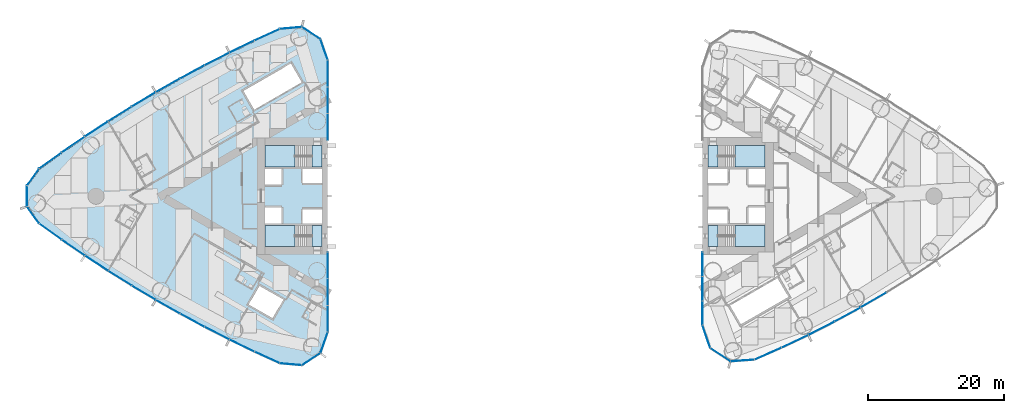
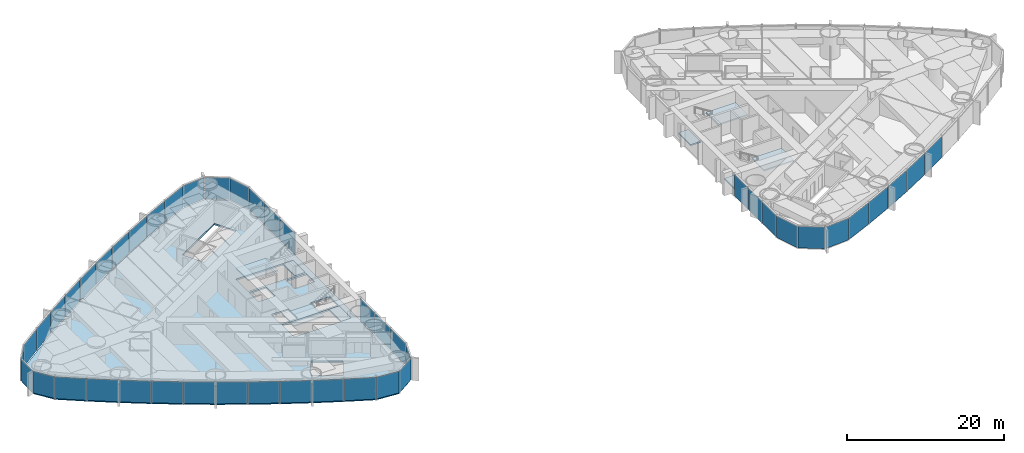
# One storey, part 9 of 18: 46 plates, 9 slabs, 6 elements without a shape of their own.
"""IFC4 building model written with IfcOpenShell, lengths in metres."""

from ifc_helpers import new_model, si_unit, direction, frame, origin, origin_2d, place, context, subcontext, project, spatial, polyline, rectangle, outline, extrude, material, layer, layer_set, type_object, element, aggregate, save


model = new_model("IFC4")

# Units and contexts
model_context = context("Model", 3, precision=1e-05, world=origin(), true_north=direction((0.0, 1.0)))
body_context = subcontext(model_context, "Body", "Model", "MODEL_VIEW")
ifc_project = project(units=[si_unit("LENGTHUNIT", "METRE"), si_unit("AREAUNIT", "SQUARE_METRE"), si_unit("VOLUMEUNIT", "CUBIC_METRE"), si_unit("PLANEANGLEUNIT", "RADIAN"), si_unit("MASSUNIT", "GRAM", prefix="KILO")], contexts=[model_context])

# Site, building, storey
site_placement = place(None, origin())
site = spatial("IfcSite", under=ifc_project, at=site_placement, CompositionType="ELEMENT")
building_placement = place(site_placement, origin())
building = spatial("IfcBuilding", under=site, at=building_placement, Name="Lancet Gate Hotel", CompositionType="ELEMENT")
storey_placement = place(building_placement, frame((0.0, 0.0, 136.10009765625)))
storey = spatial("IfcBuildingStorey", under=building, at=storey_placement, Name="L36", CompositionType="ELEMENT", Elevation=136.10009765625)

# Slab
ifc_material_1 = material(Name="Concrete C50/60", Category="concrete")
ifc_layer_1 = layer(ifc_material_1, 0.25)
ifc_layer_set_1 = layer_set([ifc_layer_1], Name="Floor slab 250")
slab_type_1 = type_object("IfcSlabType", Name="Floor slab 250", PredefinedType="FLOOR", material=ifc_layer_set_1)
slab_1_placement = place(storey_placement, frame((0.0, 0.0, -0.25)))
element("IfcSlab", 1, at=slab_1_placement, inside=storey, type_object=slab_type_1, Name="T1 L36 floor slab", PredefinedType="FLOOR", context=body_context, shape_type="SweptSolid", body=[
    extrude(outline(polyline([(-27.5, 8.60009765625), (-27.6201171875, 8.60009765625), (-27.6201171875, 19.950927734375), (-28.65966796875, 22.970947265625), (-31.320068359375, 24.69921875), (-34.5009765625, 24.421630859375), (-38.201416015625, 22.727783203125), (-41.8818359375, 20.946044921875), (-45.523193359375, 19.085693359375), (-49.12353515625, 17.147216796875), (-52.681396484375, 15.131591796875), (-56.195068359375, 13.0400390625), (-59.662841796875, 10.873291015625), (-63.0830078125, 8.63232421875), (-66.454345703125, 6.318115234375), (-69.76025390625, 3.94287109375), (-71.523193359375, 1.49755859375), (-71.523193359375, -1.49755859375), (-69.76025390625, -3.94287109375), (-66.454345703125, -6.318115234375), (-63.0830078125, -8.63232421875), (-59.662841796875, -10.873291015625), (-56.195068359375, -13.0400390625), (-52.681396484375, -15.131591796875), (-49.12353515625, -17.147216796875), (-45.523193359375, -19.085693359375), (-41.8818359375, -20.946044921875), (-38.201416015625, -22.727783203125), (-34.5009765625, -24.421630859375), (-31.320068359375, -24.69921875), (-28.65966796875, -22.970947265625), (-27.6201171875, -19.950927734375), (-27.6201171875, -8.60009765625), (-27.5, -8.60009765625), (-27.5, -8.199951171875), (-27.5, 8.199951171875), (-27.5, 8.60009765625)]), holes=[polyline([(-36.699951171875, 7.39990234375), (-36.699951171875, 4.300048828125), (-28.300048828125, 4.300048828125), (-28.300048828125, 7.39990234375), (-36.699951171875, 7.39990234375)]), polyline([(-28.300048828125, 4.0), (-31.199951171875, 4.0), (-31.199951171875, 1.89990234375), (-28.300048828125, 1.89990234375), (-28.300048828125, 4.0)]), polyline([(-34.25, 4.0), (-36.699951171875, 4.0), (-36.699951171875, 1.64990234375), (-34.25, 1.64990234375), (-34.25, 4.0)]), polyline([(-36.699951171875, -1.64990234375), (-36.699951171875, -4.0), (-34.25, -4.0), (-34.25, -1.64990234375), (-36.699951171875, -1.64990234375)]), polyline([(-28.300048828125, -1.89990234375), (-31.199951171875, -1.89990234375), (-31.199951171875, -4.0), (-28.300048828125, -4.0), (-28.300048828125, -1.89990234375)]), polyline([(-28.300048828125, -4.300048828125), (-36.699951171875, -4.300048828125), (-36.699951171875, -7.39990234375), (-28.300048828125, -7.39990234375), (-28.300048828125, -4.300048828125)]), polyline([(-31.2900390625, 16.73095703125), (-32.889892578125, 19.501953125), (-39.904052734375, 15.451904296875), (-38.303955078125, 12.680908203125), (-31.2900390625, 16.73095703125)]), polyline([(-33.97412109375, -15.180908203125), (-37.52490234375, -13.131103515625), (-39.125, -15.902099609375), (-35.573974609375, -17.951904296875), (-33.97412109375, -15.180908203125)])]), origin(), (0.0, 0.0, 1.0), 0.25),
])

# Stair, slabs
ifc_material_2 = material(Name="Exit stair 20 risers 1500")
stair_type = type_object("IfcStairType", Name="Exit stair 20 risers 1500", PredefinedType="HALF_TURN_STAIR", material=ifc_material_2)
stair_1_placement = place(storey_placement, origin())
stair_1 = element("IfcStair", 2, at=stair_1_placement, inside=storey, type_object=stair_type, Name="T1 stair 1 L36", PredefinedType="HALF_TURN_STAIR")
ifc_material_3 = material(Name="Concrete C40/50", Category="concrete")
ifc_layer_2 = layer(ifc_material_3, 0.199951171875)
ifc_layer_set_2 = layer_set([ifc_layer_2], Name="Stair landing 200")
slab_type_2 = type_object("IfcSlabType", Name="Stair landing 200", PredefinedType="LANDING", material=ifc_layer_set_2)
slab_2_placement = place(storey_placement, frame((0.0, 0.0, -0.2001953125)))
slab_2 = element("IfcSlab", 3, at=slab_2_placement, type_object=slab_type_2, Name="ST1 landing 1", PredefinedType="LANDING", context=body_context, shape_type="SweptSolid", body=[
    extrude(outline(polyline([(-28.300048828125, 7.39990234375), (-29.800048828125, 7.39990234375), (-29.800048828125, 4.300048828125), (-28.300048828125, 4.300048828125), (-28.300048828125, 7.39990234375)])), origin(), (0.0, 0.0, 1.0), 0.2001953125),
])
slab_3_placement = place(storey_placement, frame((0.0, 0.0, 1.5498046875)))
slab_3 = element("IfcSlab", 4, at=slab_3_placement, type_object=slab_type_2, Name="ST1 landing 2", PredefinedType="LANDING", context=body_context, shape_type="SweptSolid", body=[
    extrude(outline(polyline([(-32.320068359375, 7.39990234375), (-36.699951171875, 7.39990234375), (-36.699951171875, 4.300048828125), (-32.320068359375, 4.300048828125), (-32.320068359375, 7.39990234375)])), origin(), (0.0, 0.0, 1.0), 0.2001953125),
])
aggregate(stair_1, [slab_2, slab_3])

stair_2_placement = place(storey_placement, origin())
stair_2 = element("IfcStair", 5, at=stair_2_placement, inside=storey, type_object=stair_type, Name="T1 stair 2 L36", PredefinedType="HALF_TURN_STAIR")
slab_4_placement = place(storey_placement, frame((0.0, 0.0, -0.2001953125)))
slab_4 = element("IfcSlab", 6, at=slab_4_placement, type_object=slab_type_2, Name="ST2 landing 1", PredefinedType="LANDING", context=body_context, shape_type="SweptSolid", body=[
    extrude(outline(polyline([(-28.300048828125, -4.300048828125), (-29.800048828125, -4.300048828125), (-29.800048828125, -7.39990234375), (-28.300048828125, -7.39990234375), (-28.300048828125, -4.300048828125)])), origin(), (0.0, 0.0, 1.0), 0.2001953125),
])
slab_5_placement = place(storey_placement, frame((0.0, 0.0, 1.5498046875)))
slab_5 = element("IfcSlab", 7, at=slab_5_placement, type_object=slab_type_2, Name="ST2 landing 2", PredefinedType="LANDING", context=body_context, shape_type="SweptSolid", body=[
    extrude(outline(polyline([(-32.320068359375, -4.300048828125), (-36.699951171875, -4.300048828125), (-36.699951171875, -7.39990234375), (-32.320068359375, -7.39990234375), (-32.320068359375, -4.300048828125)])), origin(), (0.0, 0.0, 1.0), 0.2001953125),
])
aggregate(stair_2, [slab_4, slab_5])

stair_3_placement = place(storey_placement, origin())
stair_3 = element("IfcStair", 8, at=stair_3_placement, inside=storey, type_object=stair_type, Name="T2 stair 1 L36", PredefinedType="HALF_TURN_STAIR")
slab_6_placement = place(storey_placement, frame((0.0, 0.0, -0.2001953125)))
slab_6 = element("IfcSlab", 9, at=slab_6_placement, type_object=slab_type_2, Name="ST3 landing 1", PredefinedType="LANDING", context=body_context, shape_type="SweptSolid", body=[
    extrude(outline(polyline([(28.300048828125, -7.39990234375), (29.800048828125, -7.39990234375), (29.800048828125, -4.300048828125), (28.300048828125, -4.300048828125), (28.300048828125, -7.39990234375)])), origin(), (0.0, 0.0, 1.0), 0.2001953125),
])
slab_7_placement = place(storey_placement, frame((0.0, 0.0, 1.5498046875)))
slab_7 = element("IfcSlab", 10, at=slab_7_placement, type_object=slab_type_2, Name="ST3 landing 2", PredefinedType="LANDING", context=body_context, shape_type="SweptSolid", body=[
    extrude(outline(polyline([(32.320068359375, -7.39990234375), (36.699951171875, -7.39990234375), (36.699951171875, -4.300048828125), (32.320068359375, -4.300048828125), (32.320068359375, -7.39990234375)])), origin(), (0.0, 0.0, 1.0), 0.2001953125),
])
aggregate(stair_3, [slab_6, slab_7])

stair_4_placement = place(storey_placement, origin())
stair_4 = element("IfcStair", 11, at=stair_4_placement, inside=storey, type_object=stair_type, Name="T2 stair 2 L36", PredefinedType="HALF_TURN_STAIR")
slab_8_placement = place(storey_placement, frame((0.0, 0.0, -0.2001953125)))
slab_8 = element("IfcSlab", 12, at=slab_8_placement, type_object=slab_type_2, Name="ST4 landing 1", PredefinedType="LANDING", context=body_context, shape_type="SweptSolid", body=[
    extrude(outline(polyline([(28.300048828125, 4.300048828125), (29.800048828125, 4.300048828125), (29.800048828125, 7.39990234375), (28.300048828125, 7.39990234375), (28.300048828125, 4.300048828125)])), origin(), (0.0, 0.0, 1.0), 0.2001953125),
])
slab_9_placement = place(storey_placement, frame((0.0, 0.0, 1.5498046875)))
slab_9 = element("IfcSlab", 13, at=slab_9_placement, type_object=slab_type_2, Name="ST4 landing 2", PredefinedType="LANDING", context=body_context, shape_type="SweptSolid", body=[
    extrude(outline(polyline([(32.320068359375, 4.300048828125), (36.699951171875, 4.300048828125), (36.699951171875, 7.39990234375), (32.320068359375, 7.39990234375), (32.320068359375, 4.300048828125)])), origin(), (0.0, 0.0, 1.0), 0.2001953125),
])
aggregate(stair_4, [slab_8, slab_9])

# Curtain wall, plates
ifc_material_4 = material(Name="Aluminium curtain wall", Category="aluminium")
curtain_wall_type = type_object("IfcCurtainWallType", Name="Tower unitised curtain wall", PredefinedType="USERDEFINED", material=ifc_material_4)
curtain_wall_1_placement = place(storey_placement, origin())
curtain_wall_1 = element("IfcCurtainWall", 14, at=curtain_wall_1_placement, inside=storey, type_object=curtain_wall_type, Name="T1 L36 curtain wall 1", ObjectType="UNITISED CURTAIN WALL", PredefinedType="USERDEFINED")
ifc_material_5 = material(Name="Glass double glazed unit 8-16-6", Category="glass")
ifc_layer_3 = layer(ifc_material_5, 0.030029296875)
ifc_layer_set_3 = layer_set([ifc_layer_3], Name="Vision panel double glazed")
plate_type = type_object("IfcPlateType", Name="Vision panel double glazed", PredefinedType="CURTAIN_PANEL", material=ifc_layer_set_3)
plate_1_placement = place(storey_placement, frame((-27.5, 10.161865234375, -0.000244140625), z_axis=(0.0, 0.0, 1.0), x_axis=(0.0, 1.0, 0.0)))
plate_1 = element("IfcPlate", 15, at=plate_1_placement, type_object=plate_type, Name="T1 L36 curtain wall 1 panel 1", PredefinedType="CURTAIN_PANEL", context=body_context, shape_type="SweptSolid", body=[
    extrude(rectangle(XDim=3.858642578125, YDim=0.030029296875, at=origin_2d()), origin(), (0.0, 0.0, 1.0), 3.35009765625),
])
plate_2_placement = place(storey_placement, frame((-27.5, 14.08544921875, -0.000244140625), z_axis=(0.0, 0.0, 1.0), x_axis=(0.0, 1.0, 0.0)))
plate_2 = element("IfcPlate", 16, at=plate_2_placement, type_object=plate_type, Name="T1 L36 curtain wall 1 panel 2", PredefinedType="CURTAIN_PANEL", context=body_context, shape_type="SweptSolid", body=[
    extrude(rectangle(XDim=3.858642578125, YDim=0.030029296875, at=origin_2d()), origin(), (0.0, 0.0, 1.0), 3.35009765625),
])
plate_3_placement = place(storey_placement, frame((-27.5, 18.00927734375, -0.000244140625), z_axis=(0.0, 0.0, 1.0), x_axis=(0.0, 1.0, 0.0)))
plate_3 = element("IfcPlate", 17, at=plate_3_placement, type_object=plate_type, Name="T1 L36 curtain wall 1 panel 3", PredefinedType="CURTAIN_PANEL", context=body_context, shape_type="SweptSolid", body=[
    extrude(rectangle(XDim=3.858642578125, YDim=0.030029296875, at=origin_2d()), origin(), (0.0, 0.0, 1.0), 3.35009765625),
])
plate_4_placement = place(storey_placement, frame((-28.02978515625, 21.510009765625, -0.000244140625), z_axis=(0.0, 0.0, 1.0), x_axis=(-0.325515820766, 0.945536593914, 0.0)))
plate_4 = element("IfcPlate", 18, at=plate_4_placement, type_object=plate_type, Name="T1 L36 curtain wall 1 panel 4", PredefinedType="CURTAIN_PANEL", context=body_context, shape_type="SweptSolid", body=[
    extrude(rectangle(XDim=3.190185546875, YDim=0.030029296875, at=origin_2d()), origin(), (0.0, 0.0, 1.0), 3.35009765625),
])
plate_5_placement = place(storey_placement, frame((-29.924560546875, 23.935546875, -0.000244140625), z_axis=(0.0, 0.0, 1.0), x_axis=(-0.838580121261, 0.544778285385, 0.0)))
plate_5 = element("IfcPlate", 19, at=plate_5_placement, type_object=plate_type, Name="T1 L36 curtain wall 1 panel 5", PredefinedType="CURTAIN_PANEL", context=body_context, shape_type="SweptSolid", body=[
    extrude(rectangle(XDim=3.190185546875, YDim=0.030029296875, at=origin_2d()), origin(), (0.0, 0.0, 1.0), 3.35009765625),
])
plate_6_placement = place(storey_placement, frame((-32.91064453125, 24.680908203125, -0.000244140625), z_axis=(0.0, 0.0, 1.0), x_axis=(-0.996218779711, -0.086880049207, 0.0)))
plate_6 = element("IfcPlate", 20, at=plate_6_placement, type_object=plate_type, Name="T1 L36 curtain wall 1 panel 6", PredefinedType="CURTAIN_PANEL", context=body_context, shape_type="SweptSolid", body=[
    extrude(rectangle(XDim=3.190185546875, YDim=0.030029296875, at=origin_2d()), origin(), (0.0, 0.0, 1.0), 3.35009765625),
])
plate_7_placement = place(storey_placement, frame((-36.392333984375, 23.68798828125, -0.000244140625), z_axis=(0.0, 0.0, 1.0), x_axis=(-0.909252721243, -0.416244506166, 0.0)))
plate_7 = element("IfcPlate", 21, at=plate_7_placement, type_object=plate_type, Name="T1 L36 curtain wall 1 panel 7", PredefinedType="CURTAIN_PANEL", context=body_context, shape_type="SweptSolid", body=[
    extrude(rectangle(XDim=4.026611328125, YDim=0.030029296875, at=origin_2d()), origin(), (0.0, 0.0, 1.0), 3.35009765625),
])
plate_8_placement = place(storey_placement, frame((-40.093994140625, 21.945068359375, -0.000244140625), z_axis=(0.0, 0.0, 1.0), x_axis=(-0.900081672047, -0.435721222395, 0.0)))
plate_8 = element("IfcPlate", 22, at=plate_8_placement, type_object=plate_type, Name="T1 L36 curtain wall 1 panel 8", PredefinedType="CURTAIN_PANEL", context=body_context, shape_type="SweptSolid", body=[
    extrude(rectangle(XDim=4.026611328125, YDim=0.030029296875, at=origin_2d()), origin(), (0.0, 0.0, 1.0), 3.35009765625),
])
plate_9_placement = place(storey_placement, frame((-43.757080078125, 20.122802734375, -0.000244140625), z_axis=(0.0, 0.0, 1.0), x_axis=(-0.890493479451, -0.45499600334, 0.0)))
plate_9 = element("IfcPlate", 23, at=plate_9_placement, type_object=plate_type, Name="T1 L36 curtain wall 1 panel 9", PredefinedType="CURTAIN_PANEL", context=body_context, shape_type="SweptSolid", body=[
    extrude(rectangle(XDim=4.026611328125, YDim=0.030029296875, at=origin_2d()), origin(), (0.0, 0.0, 1.0), 3.35009765625),
])
plate_10_placement = place(storey_placement, frame((-47.380126953125, 18.221923828125, -0.000244140625), z_axis=(0.0, 0.0, 1.0), x_axis=(-0.880492587094, -0.474059916121, 0.0)))
plate_10 = element("IfcPlate", 24, at=plate_10_placement, type_object=plate_type, Name="T1 L36 curtain wall 1 panel 10", PredefinedType="CURTAIN_PANEL", context=body_context, shape_type="SweptSolid", body=[
    extrude(rectangle(XDim=4.026611328125, YDim=0.030029296875, at=origin_2d()), origin(), (0.0, 0.0, 1.0), 3.35009765625),
])
plate_11_placement = place(storey_placement, frame((-50.961669921875, 16.243896484375, -0.000244140625), z_axis=(0.0, 0.0, 1.0), x_axis=(-0.870083629903, -0.49290412554, 0.0)))
plate_11 = element("IfcPlate", 25, at=plate_11_placement, type_object=plate_type, Name="T1 L36 curtain wall 1 panel 11", PredefinedType="CURTAIN_PANEL", context=body_context, shape_type="SweptSolid", body=[
    extrude(rectangle(XDim=4.026611328125, YDim=0.030029296875, at=origin_2d()), origin(), (0.0, 0.0, 1.0), 3.35009765625),
])
plate_12_placement = place(storey_placement, frame((-54.49951171875, 14.18896484375, -0.000244140625), z_axis=(0.0, 0.0, 1.0), x_axis=(-0.859271431916, -0.511519898238, 0.0)))
plate_12 = element("IfcPlate", 26, at=plate_12_placement, type_object=plate_type, Name="T1 L36 curtain wall 1 panel 12", PredefinedType="CURTAIN_PANEL", context=body_context, shape_type="SweptSolid", body=[
    extrude(rectangle(XDim=4.026611328125, YDim=0.030029296875, at=origin_2d()), origin(), (0.0, 0.0, 1.0), 3.35009765625),
])
plate_13_placement = place(storey_placement, frame((-57.992431640625, 12.058349609375, -0.000244140625), z_axis=(0.0, 0.0, 1.0), x_axis=(-0.848061004052, -0.529898606722, 0.0)))
plate_13 = element("IfcPlate", 27, at=plate_13_placement, type_object=plate_type, Name="T1 L36 curtain wall 1 panel 13", PredefinedType="CURTAIN_PANEL", context=body_context, shape_type="SweptSolid", body=[
    extrude(rectangle(XDim=4.026611328125, YDim=0.030029296875, at=origin_2d()), origin(), (0.0, 0.0, 1.0), 3.35009765625),
])
plate_14_placement = place(storey_placement, frame((-61.438720703125, 9.85302734375, -0.000244140625), z_axis=(0.0, 0.0, 1.0), x_axis=(-0.836457541791, -0.54803173337, 0.0)))
plate_14 = element("IfcPlate", 28, at=plate_14_placement, type_object=plate_type, Name="T1 L36 curtain wall 1 panel 14", PredefinedType="CURTAIN_PANEL", context=body_context, shape_type="SweptSolid", body=[
    extrude(rectangle(XDim=4.026611328125, YDim=0.030029296875, at=origin_2d()), origin(), (0.0, 0.0, 1.0), 3.35009765625),
])
plate_15_placement = place(storey_placement, frame((-64.836669921875, 7.57421875, -0.000244140625), z_axis=(0.0, 0.0, 1.0), x_axis=(-0.824466422775, -0.565910874357, 0.0)))
plate_15 = element("IfcPlate", 29, at=plate_15_placement, type_object=plate_type, Name="T1 L36 curtain wall 1 panel 15", PredefinedType="CURTAIN_PANEL", context=body_context, shape_type="SweptSolid", body=[
    extrude(rectangle(XDim=4.026611328125, YDim=0.030029296875, at=origin_2d()), origin(), (0.0, 0.0, 1.0), 3.35009765625),
])
plate_16_placement = place(storey_placement, frame((-68.184814453125, 5.22265625, -0.000244140625), z_axis=(0.0, 0.0, 1.0), x_axis=(-0.812093204276, -0.583527743615, 0.0)))
plate_16 = element("IfcPlate", 30, at=plate_16_placement, type_object=plate_type, Name="T1 L36 curtain wall 1 panel 16", PredefinedType="CURTAIN_PANEL", context=body_context, shape_type="SweptSolid", body=[
    extrude(rectangle(XDim=4.026611328125, YDim=0.030029296875, at=origin_2d()), origin(), (0.0, 0.0, 1.0), 3.35009765625),
])
plate_17_placement = place(storey_placement, frame((-70.74462890625, 2.782470703125, -0.000244140625), z_axis=(0.0, 0.0, 1.0), x_axis=(-0.584808645706, -0.811171281486, 0.0)))
plate_17 = element("IfcPlate", 31, at=plate_17_placement, type_object=plate_type, Name="T1 L36 curtain wall 1 panel 17", PredefinedType="CURTAIN_PANEL", context=body_context, shape_type="SweptSolid", body=[
    extrude(rectangle(XDim=3.0078125, YDim=0.030029296875, at=origin_2d()), origin(), (0.0, 0.0, 1.0), 3.35009765625),
])
plate_18_placement = place(storey_placement, frame((-71.64306640625, 0.0, -0.000244140625), z_axis=(0.0, 0.0, 1.0), x_axis=(0.0, -1.0, 0.0)))
plate_18 = element("IfcPlate", 32, at=plate_18_placement, type_object=plate_type, Name="T1 L36 curtain wall 1 panel 18", PredefinedType="CURTAIN_PANEL", context=body_context, shape_type="SweptSolid", body=[
    extrude(rectangle(XDim=3.0078125, YDim=0.030029296875, at=origin_2d()), origin(), (0.0, 0.0, 1.0), 3.35009765625),
])
plate_19_placement = place(storey_placement, frame((-70.74462890625, -2.782470703125, -0.000244140625), z_axis=(0.0, 0.0, 1.0), x_axis=(0.584808645706, -0.811171281486, 0.0)))
plate_19 = element("IfcPlate", 33, at=plate_19_placement, type_object=plate_type, Name="T1 L36 curtain wall 1 panel 19", PredefinedType="CURTAIN_PANEL", context=body_context, shape_type="SweptSolid", body=[
    extrude(rectangle(XDim=3.0078125, YDim=0.030029296875, at=origin_2d()), origin(), (0.0, 0.0, 1.0), 3.35009765625),
])
plate_20_placement = place(storey_placement, frame((-68.184814453125, -5.22265625, -0.000244140625), z_axis=(0.0, 0.0, 1.0), x_axis=(0.812093204276, -0.583527743615, 0.0)))
plate_20 = element("IfcPlate", 34, at=plate_20_placement, type_object=plate_type, Name="T1 L36 curtain wall 1 panel 20", PredefinedType="CURTAIN_PANEL", context=body_context, shape_type="SweptSolid", body=[
    extrude(rectangle(XDim=4.026611328125, YDim=0.030029296875, at=origin_2d()), origin(), (0.0, 0.0, 1.0), 3.35009765625),
])
plate_21_placement = place(storey_placement, frame((-64.836669921875, -7.57421875, -0.000244140625), z_axis=(0.0, 0.0, 1.0), x_axis=(0.824466422775, -0.565910874357, 0.0)))
plate_21 = element("IfcPlate", 35, at=plate_21_placement, type_object=plate_type, Name="T1 L36 curtain wall 1 panel 21", PredefinedType="CURTAIN_PANEL", context=body_context, shape_type="SweptSolid", body=[
    extrude(rectangle(XDim=4.026611328125, YDim=0.030029296875, at=origin_2d()), origin(), (0.0, 0.0, 1.0), 3.35009765625),
])
plate_22_placement = place(storey_placement, frame((-61.438720703125, -9.85302734375, -0.000244140625), z_axis=(0.0, 0.0, 1.0), x_axis=(0.836457541791, -0.54803173337, 0.0)))
plate_22 = element("IfcPlate", 36, at=plate_22_placement, type_object=plate_type, Name="T1 L36 curtain wall 1 panel 22", PredefinedType="CURTAIN_PANEL", context=body_context, shape_type="SweptSolid", body=[
    extrude(rectangle(XDim=4.026611328125, YDim=0.030029296875, at=origin_2d()), origin(), (0.0, 0.0, 1.0), 3.35009765625),
])
plate_23_placement = place(storey_placement, frame((-57.992431640625, -12.058349609375, -0.000244140625), z_axis=(0.0, 0.0, 1.0), x_axis=(0.848061004052, -0.529898606722, 0.0)))
plate_23 = element("IfcPlate", 37, at=plate_23_placement, type_object=plate_type, Name="T1 L36 curtain wall 1 panel 23", PredefinedType="CURTAIN_PANEL", context=body_context, shape_type="SweptSolid", body=[
    extrude(rectangle(XDim=4.026611328125, YDim=0.030029296875, at=origin_2d()), origin(), (0.0, 0.0, 1.0), 3.35009765625),
])
plate_24_placement = place(storey_placement, frame((-54.49951171875, -14.18896484375, -0.000244140625), z_axis=(0.0, 0.0, 1.0), x_axis=(0.859271431916, -0.511519898238, 0.0)))
plate_24 = element("IfcPlate", 38, at=plate_24_placement, type_object=plate_type, Name="T1 L36 curtain wall 1 panel 24", PredefinedType="CURTAIN_PANEL", context=body_context, shape_type="SweptSolid", body=[
    extrude(rectangle(XDim=4.026611328125, YDim=0.030029296875, at=origin_2d()), origin(), (0.0, 0.0, 1.0), 3.35009765625),
])
plate_25_placement = place(storey_placement, frame((-50.961669921875, -16.243896484375, -0.000244140625), z_axis=(0.0, 0.0, 1.0), x_axis=(0.870083629903, -0.49290412554, 0.0)))
plate_25 = element("IfcPlate", 39, at=plate_25_placement, type_object=plate_type, Name="T1 L36 curtain wall 1 panel 25", PredefinedType="CURTAIN_PANEL", context=body_context, shape_type="SweptSolid", body=[
    extrude(rectangle(XDim=4.026611328125, YDim=0.030029296875, at=origin_2d()), origin(), (0.0, 0.0, 1.0), 3.35009765625),
])
plate_26_placement = place(storey_placement, frame((-47.380126953125, -18.221923828125, -0.000244140625), z_axis=(0.0, 0.0, 1.0), x_axis=(0.880492587094, -0.474059916121, 0.0)))
plate_26 = element("IfcPlate", 40, at=plate_26_placement, type_object=plate_type, Name="T1 L36 curtain wall 1 panel 26", PredefinedType="CURTAIN_PANEL", context=body_context, shape_type="SweptSolid", body=[
    extrude(rectangle(XDim=4.026611328125, YDim=0.030029296875, at=origin_2d()), origin(), (0.0, 0.0, 1.0), 3.35009765625),
])
plate_27_placement = place(storey_placement, frame((-43.757080078125, -20.122802734375, -0.000244140625), z_axis=(0.0, 0.0, 1.0), x_axis=(0.890493479451, -0.45499600334, 0.0)))
plate_27 = element("IfcPlate", 41, at=plate_27_placement, type_object=plate_type, Name="T1 L36 curtain wall 1 panel 27", PredefinedType="CURTAIN_PANEL", context=body_context, shape_type="SweptSolid", body=[
    extrude(rectangle(XDim=4.026611328125, YDim=0.030029296875, at=origin_2d()), origin(), (0.0, 0.0, 1.0), 3.35009765625),
])
plate_28_placement = place(storey_placement, frame((-40.093994140625, -21.945068359375, -0.000244140625), z_axis=(0.0, 0.0, 1.0), x_axis=(0.900081672047, -0.435721222395, 0.0)))
plate_28 = element("IfcPlate", 42, at=plate_28_placement, type_object=plate_type, Name="T1 L36 curtain wall 1 panel 28", PredefinedType="CURTAIN_PANEL", context=body_context, shape_type="SweptSolid", body=[
    extrude(rectangle(XDim=4.026611328125, YDim=0.030029296875, at=origin_2d()), origin(), (0.0, 0.0, 1.0), 3.35009765625),
])
plate_29_placement = place(storey_placement, frame((-36.392333984375, -23.68798828125, -0.000244140625), z_axis=(0.0, 0.0, 1.0), x_axis=(0.909252721243, -0.416244506166, 0.0)))
plate_29 = element("IfcPlate", 43, at=plate_29_placement, type_object=plate_type, Name="T1 L36 curtain wall 1 panel 29", PredefinedType="CURTAIN_PANEL", context=body_context, shape_type="SweptSolid", body=[
    extrude(rectangle(XDim=4.026611328125, YDim=0.030029296875, at=origin_2d()), origin(), (0.0, 0.0, 1.0), 3.35009765625),
])
plate_30_placement = place(storey_placement, frame((-32.91064453125, -24.680908203125, -0.000244140625), z_axis=(0.0, 0.0, 1.0), x_axis=(0.996218779711, -0.086880049207, 0.0)))
plate_30 = element("IfcPlate", 44, at=plate_30_placement, type_object=plate_type, Name="T1 L36 curtain wall 1 panel 30", PredefinedType="CURTAIN_PANEL", context=body_context, shape_type="SweptSolid", body=[
    extrude(rectangle(XDim=3.190185546875, YDim=0.030029296875, at=origin_2d()), origin(), (0.0, 0.0, 1.0), 3.35009765625),
])
plate_31_placement = place(storey_placement, frame((-29.924560546875, -23.935546875, -0.000244140625), z_axis=(0.0, 0.0, 1.0), x_axis=(0.838580121261, 0.544778285385, 0.0)))
plate_31 = element("IfcPlate", 45, at=plate_31_placement, type_object=plate_type, Name="T1 L36 curtain wall 1 panel 31", PredefinedType="CURTAIN_PANEL", context=body_context, shape_type="SweptSolid", body=[
    extrude(rectangle(XDim=3.190185546875, YDim=0.030029296875, at=origin_2d()), origin(), (0.0, 0.0, 1.0), 3.35009765625),
])
plate_32_placement = place(storey_placement, frame((-28.02978515625, -21.510009765625, -0.000244140625), z_axis=(0.0, 0.0, 1.0), x_axis=(0.325515820766, 0.945536593914, 0.0)))
plate_32 = element("IfcPlate", 46, at=plate_32_placement, type_object=plate_type, Name="T1 L36 curtain wall 1 panel 32", PredefinedType="CURTAIN_PANEL", context=body_context, shape_type="SweptSolid", body=[
    extrude(rectangle(XDim=3.190185546875, YDim=0.030029296875, at=origin_2d()), origin(), (0.0, 0.0, 1.0), 3.35009765625),
])
plate_33_placement = place(storey_placement, frame((-27.5, -18.00927734375, -0.000244140625), z_axis=(0.0, 0.0, 1.0), x_axis=(0.0, 1.0, 0.0)))
plate_33 = element("IfcPlate", 47, at=plate_33_placement, type_object=plate_type, Name="T1 L36 curtain wall 1 panel 33", PredefinedType="CURTAIN_PANEL", context=body_context, shape_type="SweptSolid", body=[
    extrude(rectangle(XDim=3.858642578125, YDim=0.030029296875, at=origin_2d()), origin(), (0.0, 0.0, 1.0), 3.35009765625),
])
plate_34_placement = place(storey_placement, frame((-27.5, -14.08544921875, -0.000244140625), z_axis=(0.0, 0.0, 1.0), x_axis=(0.0, 1.0, 0.0)))
plate_34 = element("IfcPlate", 48, at=plate_34_placement, type_object=plate_type, Name="T1 L36 curtain wall 1 panel 34", PredefinedType="CURTAIN_PANEL", context=body_context, shape_type="SweptSolid", body=[
    extrude(rectangle(XDim=3.858642578125, YDim=0.030029296875, at=origin_2d()), origin(), (0.0, 0.0, 1.0), 3.35009765625),
])
plate_35_placement = place(storey_placement, frame((-27.5, -10.161865234375, -0.000244140625), z_axis=(0.0, 0.0, 1.0), x_axis=(0.0, 1.0, 0.0)))
plate_35 = element("IfcPlate", 49, at=plate_35_placement, type_object=plate_type, Name="T1 L36 curtain wall 1 panel 35", PredefinedType="CURTAIN_PANEL", context=body_context, shape_type="SweptSolid", body=[
    extrude(rectangle(XDim=3.858642578125, YDim=0.030029296875, at=origin_2d()), origin(), (0.0, 0.0, 1.0), 3.35009765625),
])
aggregate(curtain_wall_1, [plate_1, plate_2, plate_3, plate_4, plate_5, plate_6, plate_7, plate_8, plate_9, plate_10, plate_11, plate_12, plate_13, plate_14, plate_15, plate_16, plate_17, plate_18, plate_19, plate_20, plate_21, plate_22, plate_23, plate_24, plate_25, plate_26, plate_27, plate_28, plate_29, plate_30, plate_31, plate_32, plate_33, plate_34, plate_35])

curtain_wall_2_placement = place(storey_placement, origin())
curtain_wall_2 = element("IfcCurtainWall", 50, at=curtain_wall_2_placement, inside=storey, type_object=curtain_wall_type, Name="T2 L36 curtain wall 1", ObjectType="UNITISED CURTAIN WALL", PredefinedType="USERDEFINED")
plate_36_placement = place(storey_placement, frame((27.5, -9.990478515625, -0.000244140625), z_axis=(0.0, 0.0, 1.0), x_axis=(0.0, -1.0, 0.0)))
plate_36 = element("IfcPlate", 51, at=plate_36_placement, type_object=plate_type, Name="T2 L36 curtain wall 1 panel 1", PredefinedType="CURTAIN_PANEL", context=body_context, shape_type="SweptSolid", body=[
    extrude(rectangle(XDim=3.515869140625, YDim=0.030029296875, at=origin_2d()), origin(), (0.0, 0.0, 1.0), 3.35009765625),
])
plate_37_placement = place(storey_placement, frame((27.5, -13.571533203125, -0.000244140625), z_axis=(0.0, 0.0, 1.0), x_axis=(0.0, -1.0, 0.0)))
plate_37 = element("IfcPlate", 52, at=plate_37_placement, type_object=plate_type, Name="T2 L36 curtain wall 1 panel 2", PredefinedType="CURTAIN_PANEL", context=body_context, shape_type="SweptSolid", body=[
    extrude(rectangle(XDim=3.515869140625, YDim=0.030029296875, at=origin_2d()), origin(), (0.0, 0.0, 1.0), 3.35009765625),
])
plate_38_placement = place(storey_placement, frame((27.5, -17.15234375, -0.000244140625), z_axis=(0.0, 0.0, 1.0), x_axis=(0.0, -1.0, 0.0)))
plate_38 = element("IfcPlate", 53, at=plate_38_placement, type_object=plate_type, Name="T2 L36 curtain wall 1 panel 3", PredefinedType="CURTAIN_PANEL", context=body_context, shape_type="SweptSolid", body=[
    extrude(rectangle(XDim=3.515869140625, YDim=0.030029296875, at=origin_2d()), origin(), (0.0, 0.0, 1.0), 3.35009765625),
])
plate_39_placement = place(storey_placement, frame((28.072265625, -20.622314453125, -0.000244140625), z_axis=(0.0, 0.0, 1.0), x_axis=(0.32257568891, -0.946543673015, 0.0)))
plate_39 = element("IfcPlate", 54, at=plate_39_placement, type_object=plate_type, Name="T2 L36 curtain wall 1 panel 4", PredefinedType="CURTAIN_PANEL", context=body_context, shape_type="SweptSolid", body=[
    extrude(rectangle(XDim=3.4833984375, YDim=0.030029296875, at=origin_2d()), origin(), (0.0, 0.0, 1.0), 3.35009765625),
])
plate_40_placement = place(storey_placement, frame((30.123291015625, -23.281982421875, -0.000244140625), z_axis=(0.0, 0.0, 1.0), x_axis=(0.833464516611, -0.552572981198, 0.0)))
plate_40 = element("IfcPlate", 55, at=plate_40_placement, type_object=plate_type, Name="T2 L36 curtain wall 1 panel 5", PredefinedType="CURTAIN_PANEL", context=body_context, shape_type="SweptSolid", body=[
    extrude(rectangle(XDim=3.4833984375, YDim=0.030029296875, at=origin_2d()), origin(), (0.0, 0.0, 1.0), 3.35009765625),
])
plate_41_placement = place(storey_placement, frame((33.37158203125, -24.1357421875, -0.000244140625), z_axis=(0.0, 0.0, 1.0), x_axis=(0.997448492935, 0.07138980278, 0.0)))
plate_41 = element("IfcPlate", 56, at=plate_41_placement, type_object=plate_type, Name="T2 L36 curtain wall 1 panel 6", PredefinedType="CURTAIN_PANEL", context=body_context, shape_type="SweptSolid", body=[
    extrude(rectangle(XDim=3.4833984375, YDim=0.030029296875, at=origin_2d()), origin(), (0.0, 0.0, 1.0), 3.35009765625),
])
plate_42_placement = place(storey_placement, frame((37.13134765625, -23.13427734375, -0.000244140625), z_axis=(0.0, 0.0, 1.0), x_axis=(0.915478658759, 0.40236653111, 0.0)))
plate_42 = element("IfcPlate", 57, at=plate_42_placement, type_object=plate_type, Name="T2 L36 curtain wall 1 panel 7", PredefinedType="CURTAIN_PANEL", context=body_context, shape_type="SweptSolid", body=[
    extrude(rectangle(XDim=4.2822265625, YDim=0.030029296875, at=origin_2d()), origin(), (0.0, 0.0, 1.0), 3.35009765625),
])
plate_43_placement = place(storey_placement, frame((41.08544921875, -21.3291015625, -0.000244140625), z_axis=(0.0, 0.0, 1.0), x_axis=(0.903683440096, 0.428201167789, 0.0)))
plate_43 = element("IfcPlate", 58, at=plate_43_placement, type_object=plate_type, Name="T2 L36 curtain wall 1 panel 8", PredefinedType="CURTAIN_PANEL", context=body_context, shape_type="SweptSolid", body=[
    extrude(rectangle(XDim=4.2822265625, YDim=0.030029296875, at=origin_2d()), origin(), (0.0, 0.0, 1.0), 3.35009765625),
])
plate_44_placement = place(storey_placement, frame((44.98681640625, -19.412109375, -0.000244140625), z_axis=(0.0, 0.0, 1.0), x_axis=(0.891159350462, 0.453690436403, 0.0)))
plate_44 = element("IfcPlate", 59, at=plate_44_placement, type_object=plate_type, Name="T2 L36 curtain wall 1 panel 9", PredefinedType="CURTAIN_PANEL", context=body_context, shape_type="SweptSolid", body=[
    extrude(rectangle(XDim=4.2822265625, YDim=0.030029296875, at=origin_2d()), origin(), (0.0, 0.0, 1.0), 3.35009765625),
])
plate_45_placement = place(storey_placement, frame((48.832275390625, -17.38525390625, -0.000244140625), z_axis=(0.0, 0.0, 1.0), x_axis=(0.877916491224, 0.478813778454, 0.0)))
plate_45 = element("IfcPlate", 60, at=plate_45_placement, type_object=plate_type, Name="T2 L36 curtain wall 1 panel 10", PredefinedType="CURTAIN_PANEL", context=body_context, shape_type="SweptSolid", body=[
    extrude(rectangle(XDim=4.2822265625, YDim=0.030029296875, at=origin_2d()), origin(), (0.0, 0.0, 1.0), 3.35009765625),
])
plate_46_placement = place(storey_placement, frame((52.618408203125, -15.249755859375, -0.000244140625), z_axis=(0.0, 0.0, 1.0), x_axis=(0.863965543499, 0.503550930538, 0.0)))
plate_46 = element("IfcPlate", 61, at=plate_46_placement, type_object=plate_type, Name="T2 L36 curtain wall 1 panel 11", PredefinedType="CURTAIN_PANEL", context=body_context, shape_type="SweptSolid", body=[
    extrude(rectangle(XDim=4.2822265625, YDim=0.030029296875, at=origin_2d()), origin(), (0.0, 0.0, 1.0), 3.35009765625),
])
aggregate(curtain_wall_2, [plate_36, plate_37, plate_38, plate_39, plate_40, plate_41, plate_42, plate_43, plate_44, plate_45, plate_46])

save(model, "model.ifc")
